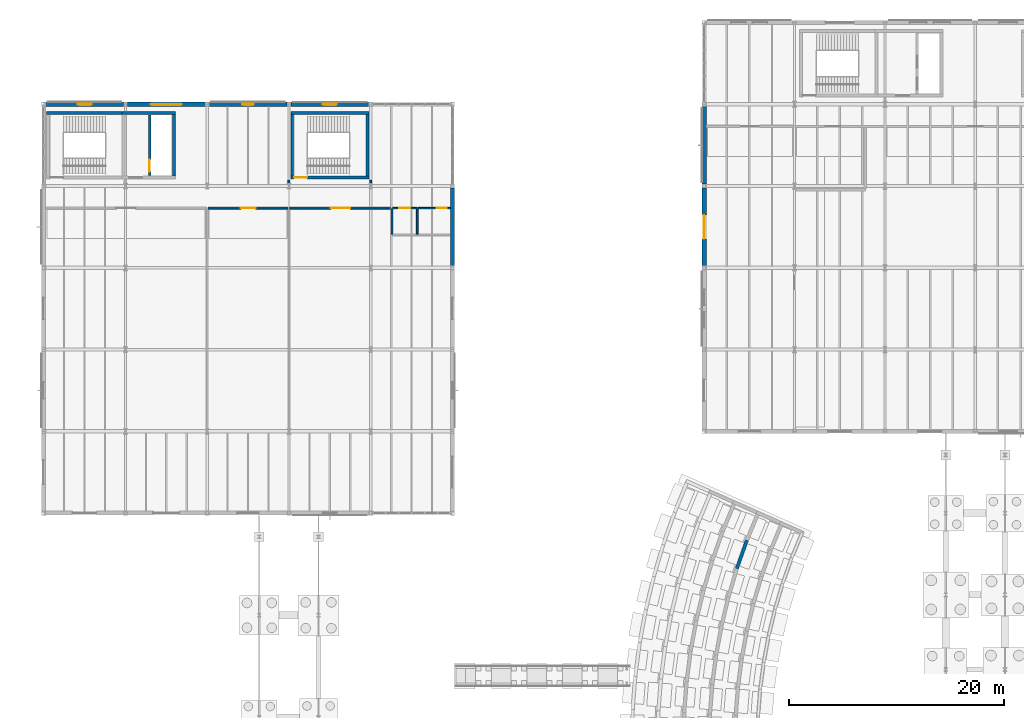
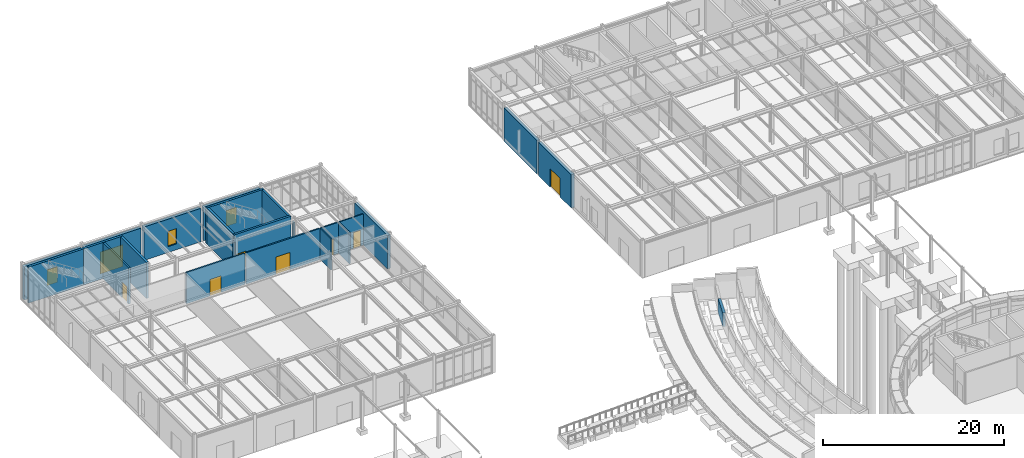
# One storey, part 87 of 109: 24 walls, 8 doors, 3 windows, 11 openings.
"""IFC4 building model written with IfcOpenShell, lengths in metres."""

import ifcopenshell
import ifcopenshell.guid

model = None  # the IFC model being written
_history = None  # IfcOwnerHistory: only IFC2X3 demands one
_inside = {}  # id of a spatial element -> (the spatial element, [elements in it])
_under = {}  # id of a project, library or spatial element -> (it, [spatial elements below it])
_declared = {}  # id of a project -> (the project, [libraries it declares])
_typed = {}  # id of a type object -> (the type object, [elements of that type])
_made_of = {}  # id of a material, layer set ... -> (it, [elements and type objects made of it])


def new_model(schema):
    """Start an empty IFC model of exactly this schema.

    Asked for "IFC4X3", IfcOpenShell would pick the latest addendum, in which some entities
    have other attributes; the version numbers below select the first issue.
    IFC2X3 requires an IfcOwnerHistory on every rooted entity: one is made here for all.
    """
    global model, _history
    if schema == "IFC4X3":
        model = ifcopenshell.file(schema_version=(4, 3, 0, 0))
    else:
        model = ifcopenshell.file(schema=schema)
    _inside.clear()
    _under.clear()
    _declared.clear()
    _typed.clear()
    _made_of.clear()
    _history = None
    if model.schema == "IFC2X3":
        org = make("IfcOrganization", Name="unknown")
        user = make(
            "IfcPersonAndOrganization",
            ThePerson=make("IfcPerson", FamilyName="unknown"),
            TheOrganization=org,
        )
        app = make(
            "IfcApplication",
            ApplicationDeveloper=org,
            Version="unknown",
            ApplicationFullName="unknown",
            ApplicationIdentifier="unknown",
        )
        _history = make(
            "IfcOwnerHistory",
            OwningUser=user,
            OwningApplication=app,
            ChangeAction="ADDED",
            CreationDate=0,
        )
    return model


def make(cls, **values):
    """One entity of the class cls with the attributes given. An attribute that is None is left unset."""
    return model.create_entity(
        cls, **{name: value for name, value in values.items() if value is not None}
    )


def rooted(cls, **values):
    """An entity with a GlobalId (a new one), such as an element, a storey or a relation."""
    return make(cls, GlobalId=ifcopenshell.guid.new(), OwnerHistory=_history, **values)


def si_unit(unit_type, name, prefix=None):
    """IfcSIUnit, for example si_unit("LENGTHUNIT", "METRE", prefix="MILLI")."""
    return make("IfcSIUnit", UnitType=unit_type, Prefix=prefix, Name=name)


def assignment(units):
    """IfcUnitAssignment: the units of a project."""
    return None if units is None else make("IfcUnitAssignment", Units=units)


def point(xyz):
    """IfcCartesianPoint."""
    return None if xyz is None else make("IfcCartesianPoint", Coordinates=xyz)


def direction(xyz):
    """IfcDirection."""
    return None if xyz is None else make("IfcDirection", DirectionRatios=xyz)


def frame(location, z_axis=None, x_axis=None):
    """IfcAxis2Placement3D, a coordinate frame: its origin and axes. An axis left out is left unset."""
    return make(
        "IfcAxis2Placement3D",
        Location=point(location),
        Axis=direction(z_axis),
        RefDirection=direction(x_axis),
    )


def frame_2d(location, x_axis=None):
    """IfcAxis2Placement2D, a coordinate frame in the plane: its origin and x axis."""
    return make(
        "IfcAxis2Placement2D", Location=point(location), RefDirection=direction(x_axis)
    )


def origin():
    """The frame at (0, 0, 0) with its axes left unset."""
    return frame((0.0, 0.0, 0.0))


def place(relative_to, where):
    """IfcLocalPlacement: puts the frame where relative to a parent placement (None: the world)."""
    return make(
        "IfcLocalPlacement", PlacementRelTo=relative_to, RelativePlacement=where
    )


def context(
    kind, dimensions, precision=None, world=None, true_north=None, identifier=None
):
    """IfcGeometricRepresentationContext, for example the 3D "Model" context."""
    return make(
        "IfcGeometricRepresentationContext",
        ContextIdentifier=identifier,
        ContextType=kind,
        CoordinateSpaceDimension=dimensions,
        Precision=precision,
        WorldCoordinateSystem=world,
        TrueNorth=true_north,
    )


def subcontext(parent, identifier, kind, view, scale=None):
    """IfcGeometricRepresentationSubContext, for example "Body" below "Model"."""
    return make(
        "IfcGeometricRepresentationSubContext",
        ContextIdentifier=identifier,
        ContextType=kind,
        ParentContext=parent,
        TargetScale=scale,
        TargetView=view,
    )


def project(units=None, contexts=None):
    """IfcProject with its units and contexts."""
    return rooted(
        "IfcProject",
        Name="project",
        RepresentationContexts=contexts,
        UnitsInContext=assignment(units),
    )


def spatial(cls, under=None, at=None, **own):
    """A site, building, storey or space (cls), placed at a placement, below another one or the project."""
    s = rooted(cls, ObjectPlacement=at, **own)
    if under is not None:
        _under.setdefault(under.id(), (under, []))[1].append(s)
    return s


def profile(cls, at=None, kind="AREA", **sizes):
    """A parametric profile (cls). Its sizes go by their IFC names, for example OverallWidth=200.0."""
    return make(cls, ProfileType=kind, Position=at, **sizes)


def rectangle(**sizes):
    """IfcRectangleProfileDef."""
    return profile("IfcRectangleProfileDef", **sizes)


def extrude(swept, where, along, depth):
    """IfcExtrudedAreaSolid: the profile swept, set in the frame where, extruded along a direction by depth."""
    return make(
        "IfcExtrudedAreaSolid",
        SweptArea=swept,
        Position=where,
        ExtrudedDirection=direction(along),
        Depth=depth,
    )


def shape(context_of_items, identifier, shape_type, items):
    """IfcShapeRepresentation: the items that make up one representation, for example the "Body"."""
    return make(
        "IfcShapeRepresentation",
        ContextOfItems=context_of_items,
        RepresentationIdentifier=identifier,
        RepresentationType=shape_type,
        Items=items,
    )


def material(Name=None, Category=None):
    """IfcMaterial."""
    return make("IfcMaterial", Name=Name, Category=Category)


def layer(
    of_material, thickness, ventilated=None, Name=None, Category=None, Priority=None
):
    """IfcMaterialLayer: one layer of a wall or slab, of a material (None: an air gap)."""
    return make(
        "IfcMaterialLayer",
        Material=of_material,
        LayerThickness=thickness,
        IsVentilated=ventilated,
        Name=Name,
        Category=Category,
        Priority=Priority,
    )


def layer_set(layers, Name=None):
    """IfcMaterialLayerSet."""
    return make("IfcMaterialLayerSet", MaterialLayers=layers, LayerSetName=Name)


def made_of(thing, what):
    """Note that an element or type object is made of a material, layer set ...; save() writes the relation."""
    if what is not None:
        _made_of.setdefault(what.id(), (what, []))[1].append(thing)
    return thing


def type_object(cls, material=None, **own):
    """A type object (cls), such as IfcWallType, which elements share."""
    return made_of(rooted(cls, **own), material)


def element(
    cls,
    number,
    at=None,
    inside=None,
    cuts=None,
    type_object=None,
    material=None,
    context=None,
    identifier="Body",
    shape_type=None,
    held_by="IfcProductDefinitionShape",
    body=None,
    shapes=None,
    **own,
):
    """One element of the class cls, such as IfcWall. Its Tag is "e" and its number.

    at: its placement. inside: the storey or other place that contains it. cuts: it is an
    opening in that element (IfcRelVoidsElement). A single representation is given by context,
    identifier, shape_type and body (its items); several are given by shapes. held_by: the class
    of the entity that holds the representations. save() writes the other relations.
    """
    e = rooted(cls, Tag="e%d" % number, ObjectPlacement=at, **own)
    if body is not None:
        shapes = [shape(context, identifier, shape_type, body)]
    if shapes is not None:
        e.Representation = make(held_by, Representations=shapes)
    if inside is not None:
        _inside.setdefault(inside.id(), (inside, []))[1].append(e)
    if cuts is not None:
        rooted(
            "IfcRelVoidsElement", RelatingBuildingElement=cuts, RelatedOpeningElement=e
        )
    if type_object is not None:
        _typed.setdefault(type_object.id(), (type_object, []))[1].append(e)
    return made_of(e, material)


def fill(opening, filler):
    """IfcRelFillsElement: the door or window that sits in an opening."""
    return rooted(
        "IfcRelFillsElement",
        RelatingOpeningElement=opening,
        RelatedBuildingElement=filler,
    )


def aggregate(whole, parts):
    """IfcRelAggregates: a whole, such as a stair, and the parts it consists of."""
    return rooted("IfcRelAggregates", RelatingObject=whole, RelatedObjects=parts)


def save(model, path):
    """Write the relations noted so far, then the file.

    IfcRelAggregates (storeys below a building ...), IfcRelContainedInSpatialStructure (elements
    in a storey), IfcRelDefinesByType, IfcRelAssociatesMaterial and IfcRelDeclares: one each for
    every whole, place, type object, material and project.
    """
    for whole, parts in _under.values():
        aggregate(whole, parts)
    for where, things in _inside.values():
        rooted(
            "IfcRelContainedInSpatialStructure",
            RelatedElements=things,
            RelatingStructure=where,
        )
    for kind, things in _typed.values():
        rooted("IfcRelDefinesByType", RelatedObjects=things, RelatingType=kind)
    for what, things in _made_of.values():
        rooted("IfcRelAssociatesMaterial", RelatedObjects=things, RelatingMaterial=what)
    for by, libraries in _declared.values():
        rooted("IfcRelDeclares", RelatingContext=by, RelatedDefinitions=libraries)
    model.write(path)


model = new_model("IFC4")

# Units and contexts
model_context = context("Model", 3, precision=1e-05, world=origin(), true_north=direction((0.0, 1.0)))
body_context = subcontext(model_context, "Body", "Model", "MODEL_VIEW")
ifc_project = project(units=[si_unit("LENGTHUNIT", "METRE"), si_unit("AREAUNIT", "SQUARE_METRE"), si_unit("VOLUMEUNIT", "CUBIC_METRE"), si_unit("PLANEANGLEUNIT", "RADIAN"), si_unit("MASSUNIT", "GRAM", prefix="KILO")], contexts=[model_context])

# Site, building, storey
site_placement = place(None, origin())
site = spatial("IfcSite", under=ifc_project, at=site_placement, CompositionType="ELEMENT")
building_placement = place(site_placement, origin())
building = spatial("IfcBuilding", under=site, at=building_placement, Name="Montecoro Central Library", CompositionType="ELEMENT")
storey_placement = place(building_placement, origin())
storey = spatial("IfcBuildingStorey", under=building, at=storey_placement, Name="L00", CompositionType="ELEMENT", Elevation=0.0)

# Wall
ifc_material_1 = material(Name="Dark piperno stone clad concrete C35/45", Category="masonry")
ifc_layer_1 = layer(ifc_material_1, 0.385009765625)
ifc_layer_set_1 = layer_set([ifc_layer_1], Name="Dark piperno stone clad concrete C35/45")
wall_type_1 = type_object("IfcWallType", Name="EW-PIP-385", PredefinedType="SOLIDWALL", material=ifc_layer_set_1)
wall_1_placement = place(storey_placement, frame((66.39990234375, 111.221923828125, 0.0), z_axis=(0.0, 0.0, 1.0), x_axis=(0.0, -1.0, 0.0)))
element("IfcWall", 1, at=wall_1_placement, inside=storey, type_object=wall_type_1, Name="V2-L00-EW-W3", PredefinedType="SOLIDWALL", context=body_context, shape_type="SweptSolid", body=[
    extrude(rectangle(XDim=7.243896484375, YDim=0.385009765625, at=frame_2d((3.6220703125, 0.0))), origin(), (0.0, 0.0, 1.0), 4.5),
])

# Wall, opening, door
wall_2_placement = place(storey_placement, frame((66.39990234375, 103.6220703125, 0.0), z_axis=(0.0, 0.0, 1.0), x_axis=(0.0, -1.0, 0.0)))
wall_2 = element("IfcWall", 2, at=wall_2_placement, inside=storey, type_object=wall_type_1, Name="V2-L00-EW-W2", PredefinedType="SOLIDWALL", context=body_context, shape_type="SweptSolid", body=[
    extrude(rectangle(XDim=7.244140625, YDim=0.385009765625, at=frame_2d((3.6220703125, 0.0))), origin(), (0.0, 0.0, 1.0), 4.5),
])
opening_1_placement = place(wall_2_placement, frame((2.52197265625, 0.0, 0.0)))
opening_1 = element("IfcOpeningElement", 3, at=opening_1_placement, cuts=wall_2, Name="Opening ED-01", PredefinedType="OPENING", context=body_context, shape_type="SweptSolid", body=[
    extrude(rectangle(XDim=2.199951171875, YDim=2.5, at=frame_2d((1.10009765625, 1.25))), frame((0.0, 0.202392578125, 0.0), z_axis=(0.0, -1.0, 0.0), x_axis=(1.0, 0.0, 0.0)), (0.0, 0.0, 1.0), 0.405029296875),
])
ifc_material_2 = material(Name="Thermally broken architectural bronze and safety glass", Category="glass")
door_type_1 = type_object("IfcDoorType", Name="ED-EXIT-220", OperationType="NOTDEFINED", PredefinedType="DOOR", material=ifc_material_2)
door_1_placement = place(opening_1_placement, origin())
door_1 = element("IfcDoor", 4, at=door_1_placement, inside=storey, type_object=door_type_1, Name="V2-L00-ED-W2", OperationType="SINGLE_SWING_RIGHT", OverallHeight=2.5, OverallWidth=2.199951171875, PredefinedType="DOOR", context=body_context, shape_type="SweptSolid", body=[
    extrude(rectangle(XDim=2.199951171875, YDim=2.5, at=frame_2d((1.10009765625, 1.25))), frame((0.0, 0.02490234375, 0.0), z_axis=(0.0, -1.0, 0.0), x_axis=(1.0, 0.0, 0.0)), (0.0, 0.0, 1.0), 0.050048828125),
])
fill(opening_1, door_1)

# Wall
wall_3_placement = place(storey_placement, frame((43.0, 96.3779296875, 0.0), z_axis=(0.0, 0.0, 1.0), x_axis=(0.0, 1.0, 0.0)))
element("IfcWall", 5, at=wall_3_placement, inside=storey, type_object=wall_type_1, Name="V4-L00-EW-E3", PredefinedType="SOLIDWALL", context=body_context, shape_type="SweptSolid", body=[
    extrude(rectangle(XDim=7.244140625, YDim=0.385009765625, at=frame_2d((3.6220703125, 0.0))), origin(), (0.0, 0.0, 1.0), 4.5),
])

# Wall, opening, window
wall_4_placement = place(storey_placement, frame((35.221923828125, 111.39990234375, 0.0), z_axis=(0.0, 0.0, 1.0), x_axis=(-1.0, 0.0, 0.0)))
wall_4 = element("IfcWall", 6, at=wall_4_placement, inside=storey, type_object=wall_type_1, Name="V4-L00-EW-N3", PredefinedType="SOLIDWALL", context=body_context, shape_type="SweptSolid", body=[
    extrude(rectangle(XDim=7.243896484375, YDim=0.385009765625, at=frame_2d((3.6220703125, 0.0))), origin(), (0.0, 0.0, 1.0), 4.5),
])
opening_2_placement = place(wall_4_placement, frame((2.971923828125, 0.0, 0.800048828125)))
opening_2 = element("IfcOpeningElement", 7, at=opening_2_placement, cuts=wall_4, Name="Opening WN-15", PredefinedType="OPENING", context=body_context, shape_type="SweptSolid", body=[
    extrude(rectangle(XDim=1.300048828125, YDim=2.1201171875, at=frame_2d((0.64990234375, 1.06005859375))), frame((0.0, 0.202392578125, 0.0), z_axis=(0.0, -1.0, 0.0), x_axis=(1.0, 0.0, 0.0)), (0.0, 0.0, 1.0), 0.405029296875),
])
ifc_material_3 = material(Name="Acoustic laminated double glazing", Category="glass")
window_type_1 = type_object("IfcWindowType", Name="WN-AUD-130", PartitioningType="SINGLE_PANEL", PredefinedType="WINDOW", material=ifc_material_3)
window_1_placement = place(opening_2_placement, origin())
window_1 = element("IfcWindow", 8, at=window_1_placement, inside=storey, type_object=window_type_1, Name="V4-L00-WN-N3-1", OverallHeight=2.1201171875, OverallWidth=1.300048828125, PartitioningType="SINGLE_PANEL", PredefinedType="WINDOW", context=body_context, shape_type="SweptSolid", body=[
    extrude(rectangle(XDim=1.300048828125, YDim=2.1201171875, at=frame_2d((0.64990234375, 1.06005859375))), frame((0.0, 0.030029296875, 0.0), z_axis=(0.0, -1.0, 0.0), x_axis=(1.0, 0.0, 0.0)), (0.0, 0.0, 1.0), 0.06005859375),
])
fill(opening_2, window_1)

wall_5_placement = place(storey_placement, frame((27.6220703125, 111.39990234375, 0.0), z_axis=(0.0, 0.0, 1.0), x_axis=(-1.0, 0.0, 0.0)))
wall_5 = element("IfcWall", 9, at=wall_5_placement, inside=storey, type_object=wall_type_1, Name="V4-L00-EW-N2", PredefinedType="SOLIDWALL", context=body_context, shape_type="SweptSolid", body=[
    extrude(rectangle(XDim=7.244140625, YDim=0.385009765625, at=frame_2d((3.6220703125, 0.0))), origin(), (0.0, 0.0, 1.0), 4.5),
])
opening_3_placement = place(wall_5_placement, frame((3.072021484375, 0.0, 0.800048828125)))
opening_3 = element("IfcOpeningElement", 10, at=opening_3_placement, cuts=wall_5, Name="Opening WN-14", PredefinedType="OPENING", context=body_context, shape_type="SweptSolid", body=[
    extrude(rectangle(XDim=1.10009765625, YDim=2.050048828125, at=frame_2d((0.550048828125, 1.02490234375))), frame((0.0, 0.202392578125, 0.0), z_axis=(0.0, -1.0, 0.0), x_axis=(1.0, 0.0, 0.0)), (0.0, 0.0, 1.0), 0.405029296875),
])
window_type_2 = type_object("IfcWindowType", Name="WN-AUD-110", PartitioningType="SINGLE_PANEL", PredefinedType="WINDOW", material=ifc_material_3)
window_2_placement = place(opening_3_placement, origin())
window_2 = element("IfcWindow", 11, at=window_2_placement, inside=storey, type_object=window_type_2, Name="V4-L00-WN-N2-1", OverallHeight=2.050048828125, OverallWidth=1.10009765625, PartitioningType="SINGLE_PANEL", PredefinedType="WINDOW", context=body_context, shape_type="SweptSolid", body=[
    extrude(rectangle(XDim=1.10009765625, YDim=2.050048828125, at=frame_2d((0.550048828125, 1.02490234375))), frame((0.0, 0.030029296875, 0.0), z_axis=(0.0, -1.0, 0.0), x_axis=(1.0, 0.0, 0.0)), (0.0, 0.0, 1.0), 0.06005859375),
])
fill(opening_3, window_2)

# Wall, opening, door
wall_6_placement = place(storey_placement, frame((20.02197265625, 111.39990234375, 0.0), z_axis=(0.0, 0.0, 1.0), x_axis=(-1.0, 0.0, 0.0)))
wall_6 = element("IfcWall", 12, at=wall_6_placement, inside=storey, type_object=wall_type_1, Name="V4-L00-EW-N1", PredefinedType="SOLIDWALL", context=body_context, shape_type="SweptSolid", body=[
    extrude(rectangle(XDim=7.243896484375, YDim=0.385009765625, at=frame_2d((3.6220703125, 0.0))), origin(), (0.0, 0.0, 1.0), 4.5),
])
opening_4_placement = place(wall_6_placement, frame((2.172119140625, 0.0, 0.0)))
opening_4 = element("IfcOpeningElement", 13, at=opening_4_placement, cuts=wall_6, Name="Opening EG-02", PredefinedType="OPENING", context=body_context, shape_type="SweptSolid", body=[
    extrude(rectangle(XDim=2.89990234375, YDim=2.949951171875, at=frame_2d((1.449951171875, 1.47509765625))), frame((0.0, 0.202392578125, 0.0), z_axis=(0.0, -1.0, 0.0), x_axis=(1.0, 0.0, 0.0)), (0.0, 0.0, 1.0), 0.405029296875),
])
door_type_2 = type_object("IfcDoorType", Name="ED-GATE-290", OperationType="NOTDEFINED", PredefinedType="GATE", material=ifc_material_2)
door_2_placement = place(opening_4_placement, origin())
door_2 = element("IfcDoor", 14, at=door_2_placement, inside=storey, type_object=door_type_2, Name="V4-L00-GT-N1", OperationType="DOUBLE_DOOR_SINGLE_SWING", OverallHeight=2.949951171875, OverallWidth=2.89990234375, PredefinedType="GATE", context=body_context, shape_type="SweptSolid", body=[
    extrude(rectangle(XDim=2.89990234375, YDim=2.949951171875, at=frame_2d((1.449951171875, 1.47509765625))), frame((0.0, 0.02490234375, 0.0), z_axis=(0.0, -1.0, 0.0), x_axis=(1.0, 0.0, 0.0)), (0.0, 0.0, 1.0), 0.050048828125),
])
fill(opening_4, door_2)

# Wall, opening, window
wall_7_placement = place(storey_placement, frame((12.422119140625, 111.39990234375, 0.0), z_axis=(0.0, 0.0, 1.0), x_axis=(-1.0, 0.0, 0.0)))
wall_7 = element("IfcWall", 15, at=wall_7_placement, inside=storey, type_object=wall_type_1, Name="V4-L00-EW-N0", PredefinedType="SOLIDWALL", context=body_context, shape_type="SweptSolid", body=[
    extrude(rectangle(XDim=7.244140625, YDim=0.385009765625, at=frame_2d((3.6220703125, 0.0))), origin(), (0.0, 0.0, 1.0), 4.5),
])
opening_5_placement = place(wall_7_placement, frame((2.971923828125, 0.0, 0.800048828125)))
opening_5 = element("IfcOpeningElement", 16, at=opening_5_placement, cuts=wall_7, Name="Opening WN-15", PredefinedType="OPENING", context=body_context, shape_type="SweptSolid", body=[
    extrude(rectangle(XDim=1.300048828125, YDim=2.1201171875, at=frame_2d((0.64990234375, 1.06005859375))), frame((0.0, 0.202392578125, 0.0), z_axis=(0.0, -1.0, 0.0), x_axis=(1.0, 0.0, 0.0)), (0.0, 0.0, 1.0), 0.405029296875),
])
window_3_placement = place(opening_5_placement, origin())
window_3 = element("IfcWindow", 17, at=window_3_placement, inside=storey, type_object=window_type_1, Name="V4-L00-WN-N0-1", OverallHeight=2.1201171875, OverallWidth=1.300048828125, PartitioningType="SINGLE_PANEL", PredefinedType="WINDOW", context=body_context, shape_type="SweptSolid", body=[
    extrude(rectangle(XDim=1.300048828125, YDim=2.1201171875, at=frame_2d((0.64990234375, 1.06005859375))), frame((0.0, 0.030029296875, 0.0), z_axis=(0.0, -1.0, 0.0), x_axis=(1.0, 0.0, 0.0)), (0.0, 0.0, 1.0), 0.06005859375),
])
fill(opening_5, window_3)

# Wall
ifc_material_4 = material(Name="Roman travertine stone clad concrete C35/45", Category="masonry")
ifc_layer_2 = layer(ifc_material_4, 0.31005859375)
ifc_layer_set_2 = layer_set([ifc_layer_2], Name="Roman travertine stone clad concrete C35/45")
wall_type_2 = type_object("IfcWallType", Name="EW-TRV-LB-310", PredefinedType="SOLIDWALL", material=ifc_layer_set_2)
wall_8_placement = place(storey_placement, frame((70.363037109375, 70.883056640625, 0.0), z_axis=(0.0, 0.0, 1.0), x_axis=(-0.333806723165, -0.942641539277, 0.0)))
element("IfcWall", 18, at=wall_8_placement, inside=storey, type_object=wall_type_2, Name="Stepped Terrace Retaining Wall 4", PredefinedType="SOLIDWALL", context=body_context, shape_type="SweptSolid", body=[
    extrude(rectangle(XDim=2.79541015625, YDim=0.31005859375, at=frame_2d((1.397705078125, 0.0))), origin(), (0.0, 0.0, 1.0), 1.860107421875),
])

# Wall, opening, door
ifc_material_5 = material(Name="Gypsum fire-rated partition")
ifc_layer_3 = layer(ifc_material_5, 0.179931640625)
ifc_layer_set_3 = layer_set([ifc_layer_3], Name="Gypsum fire-rated partition")
wall_type_3 = type_object("IfcWallType", Name="IW-COR-180", PredefinedType="PARTITIONING", material=ifc_layer_set_3)
wall_9_placement = place(storey_placement, frame((20.2900390625, 101.75, 0.0), z_axis=(0.0, 0.0, 1.0), x_axis=(1.0, 0.0, 0.0)))
wall_9 = element("IfcWall", 19, at=wall_9_placement, inside=storey, type_object=wall_type_3, Name="CORW-V4-L00-02", PredefinedType="PARTITIONING", context=body_context, shape_type="SweptSolid", body=[
    extrude(rectangle(XDim=7.419921875, YDim=0.179931640625, at=frame_2d((3.7099609375, 0.0))), origin(), (0.0, 0.0, 1.0), 4.199951171875),
])
opening_6_placement = place(wall_9_placement, frame((3.010009765625, 0.0, 0.0)))
opening_6 = element("IfcOpeningElement", 20, at=opening_6_placement, cuts=wall_9, Name="Opening ID-08", PredefinedType="OPENING", context=body_context, shape_type="SweptSolid", body=[
    extrude(rectangle(XDim=1.39990234375, YDim=2.219970703125, at=frame_2d((0.699951171875, 1.10986328125))), frame((0.0, 0.099853515625, 0.0), z_axis=(0.0, -1.0, 0.0), x_axis=(1.0, 0.0, 0.0)), (0.0, 0.0, 1.0), 0.199951171875),
])
ifc_material_6 = material(Name="Solid oak and fire-rated steel door", Category="steel")
door_type_3 = type_object("IfcDoorType", Name="ID-RDG-140", OperationType="NOTDEFINED", PredefinedType="DOOR", material=ifc_material_6)
door_3_placement = place(opening_6_placement, origin())
door_3 = element("IfcDoor", 21, at=door_3_placement, inside=storey, type_object=door_type_3, Name="DR-SP-V4-L00-R2P1", OperationType="SINGLE_SWING_RIGHT", OverallHeight=2.219970703125, OverallWidth=1.39990234375, PredefinedType="DOOR", context=body_context, shape_type="SweptSolid", body=[
    extrude(rectangle(XDim=1.39990234375, YDim=2.219970703125, at=frame_2d((0.699951171875, 1.10986328125))), frame((0.0, 0.02490234375, 0.0), z_axis=(0.0, -1.0, 0.0), x_axis=(1.0, 0.0, 0.0)), (0.0, 0.0, 1.0), 0.050048828125),
])
fill(opening_6, door_3)

wall_10_placement = place(storey_placement, frame((27.889892578125, 101.75, 0.0), z_axis=(0.0, 0.0, 1.0), x_axis=(1.0, 0.0, 0.0)))
wall_10 = element("IfcWall", 22, at=wall_10_placement, inside=storey, type_object=wall_type_3, Name="CORW-V4-L00-03", PredefinedType="PARTITIONING", context=body_context, shape_type="SweptSolid", body=[
    extrude(rectangle(XDim=9.3701171875, YDim=0.179931640625, at=frame_2d((4.68505859375, 0.0))), origin(), (0.0, 0.0, 1.0), 4.199951171875),
])
opening_7_placement = place(wall_10_placement, frame((3.784912109375, 0.0, 0.0)))
opening_7 = element("IfcOpeningElement", 23, at=opening_7_placement, cuts=wall_10, Name="Opening ID-10", PredefinedType="OPENING", context=body_context, shape_type="SweptSolid", body=[
    extrude(rectangle(XDim=1.800048828125, YDim=2.300048828125, at=frame_2d((0.89990234375, 1.14990234375))), frame((0.0, 0.099853515625, 0.0), z_axis=(0.0, -1.0, 0.0), x_axis=(1.0, 0.0, 0.0)), (0.0, 0.0, 1.0), 0.199951171875),
])
door_type_4 = type_object("IfcDoorType", Name="ID-AUD-180", OperationType="NOTDEFINED", PredefinedType="DOOR", material=ifc_material_6)
door_4_placement = place(opening_7_placement, origin())
door_4 = element("IfcDoor", 24, at=door_4_placement, inside=storey, type_object=door_type_4, Name="DR-SP-V4-L00-R3P1", OperationType="DOUBLE_DOOR_SINGLE_SWING", OverallHeight=2.300048828125, OverallWidth=1.800048828125, PredefinedType="DOOR", context=body_context, shape_type="SweptSolid", body=[
    extrude(rectangle(XDim=1.800048828125, YDim=2.300048828125, at=frame_2d((0.89990234375, 1.14990234375))), frame((0.0, 0.02490234375, 0.0), z_axis=(0.0, -1.0, 0.0), x_axis=(1.0, 0.0, 0.0)), (0.0, 0.0, 1.0), 0.050048828125),
])
fill(opening_7, door_4)

# Walls
for number, where, z_axis, x_axis, name in (
    (25, (27.800048828125, 104.0400390625, 0.0), (0.0, 0.0, 1.0), (0.0, 1.0, 0.0), "PIL-V4-L00-2"),
    (26, (35.39990234375, 104.0400390625, 0.0), (0.0, 0.0, 1.0), (0.0, 1.0, 0.0), "PIL-V4-L00-3"),
):
    element("IfcWall", number, at=place(storey_placement, frame(where, z_axis=z_axis, x_axis=x_axis)), inside=storey, type_object=wall_type_3, Name=name, PredefinedType="PARTITIONING", context=body_context, shape_type="SweptSolid", body=[
        extrude(rectangle(XDim=0.320068359375, YDim=0.179931640625, at=frame_2d((0.16015625, 0.0))), origin(), (0.0, 0.0, 1.0), 4.199951171875),
    ])

# Wall, opening, door
ifc_material_7 = material(Name="Concrete C32/40", Category="concrete")
ifc_layer_4 = layer(ifc_material_7, 0.219970703125)
ifc_layer_set_4 = layer_set([ifc_layer_4], Name="Concrete C32/40")
wall_type_4 = type_object("IfcWallType", Name="IW-FFL-220", PredefinedType="SOLIDWALL", material=ifc_layer_set_4)
wall_11_placement = place(storey_placement, frame((14.85009765625, 104.800048828125, 0.0), z_axis=(0.0, 0.0, 1.0), x_axis=(0.0, 1.0, 0.0)))
wall_11 = element("IfcWall", 27, at=wall_11_placement, inside=storey, type_object=wall_type_4, Name="C5-L00-WLSH", PredefinedType="SOLIDWALL", context=body_context, shape_type="SweptSolid", body=[
    extrude(rectangle(XDim=5.599853515625, YDim=0.219970703125, at=frame_2d((2.7998046875, 0.0))), origin(), (0.0, 0.0, 1.0), 4.864990234375),
])
opening_8_placement = place(wall_11_placement, frame((0.35009765625, 0.0, 0.0)))
opening_8 = element("IfcOpeningElement", 28, at=opening_8_placement, cuts=wall_11, Name="Opening LD-01", PredefinedType="OPENING", context=body_context, shape_type="SweptSolid", body=[
    extrude(rectangle(XDim=1.10009765625, YDim=2.14990234375, at=frame_2d((0.550048828125, 1.074951171875))), frame((0.0, 0.119873046875, 0.0), z_axis=(0.0, -1.0, 0.0), x_axis=(1.0, 0.0, 0.0)), (0.0, 0.0, 1.0), 0.239990234375),
])
door_type_5 = type_object("IfcDoorType", Name="LD-LIFT-110", OperationType="NOTDEFINED", PredefinedType="DOOR", material=ifc_material_6)
door_5_placement = place(opening_8_placement, origin())
door_5 = element("IfcDoor", 29, at=door_5_placement, inside=storey, type_object=door_type_5, Name="C5-L00-LD-PL-05", OperationType="SLIDING_TO_LEFT", OverallHeight=2.14990234375, OverallWidth=1.10009765625, PredefinedType="DOOR", context=body_context, shape_type="SweptSolid", body=[
    extrude(rectangle(XDim=1.10009765625, YDim=2.14990234375, at=frame_2d((0.550048828125, 1.074951171875))), frame((0.0, 0.02490234375, 0.0), z_axis=(0.0, -1.0, 0.0), x_axis=(1.0, 0.0, 0.0)), (0.0, 0.0, 1.0), 0.050048828125),
])
fill(opening_8, door_5)

ifc_material_8 = material(Name="Concrete C35/45", Category="concrete")
ifc_layer_5 = layer(ifc_material_8, 0.260009765625)
ifc_layer_set_5 = layer_set([ifc_layer_5], Name="Concrete C35/45")
wall_type_5 = type_object("IfcWallType", Name="IW-SHR-260", PredefinedType="SHEAR", material=ifc_layer_set_5)
wall_12_placement = place(storey_placement, frame((27.969970703125, 104.60009765625, 0.0), z_axis=(0.0, 0.0, 1.0), x_axis=(1.0, 0.0, 0.0)))
wall_12 = element("IfcWall", 30, at=wall_12_placement, inside=storey, type_object=wall_type_5, Name="C9-L00-WS", PredefinedType="SHEAR", context=body_context, shape_type="SweptSolid", body=[
    extrude(rectangle(XDim=7.260009765625, YDim=0.260009765625, at=frame_2d((3.6298828125, 0.0))), origin(), (0.0, 0.0, 1.0), 4.864990234375),
])
opening_9_placement = place(wall_12_placement, frame((0.31005859375, 0.0, 0.0)))
opening_9 = element("IfcOpeningElement", 31, at=opening_9_placement, cuts=wall_12, Name="Opening ID-01", PredefinedType="OPENING", context=body_context, shape_type="SweptSolid", body=[
    extrude(rectangle(XDim=1.219970703125, YDim=2.179931640625, at=frame_2d((0.60986328125, 1.08984375))), frame((0.0, 0.139892578125, 0.0), z_axis=(0.0, -1.0, 0.0), x_axis=(1.0, 0.0, 0.0)), (0.0, 0.0, 1.0), 0.280029296875),
])
door_type_6 = type_object("IfcDoorType", Name="ID-STR-140", OperationType="NOTDEFINED", PredefinedType="DOOR", material=ifc_material_6)
door_6_placement = place(opening_9_placement, origin())
door_6 = element("IfcDoor", 32, at=door_6_placement, inside=storey, type_object=door_type_6, Name="C9-L00-DSTR", OperationType="SINGLE_SWING_RIGHT", OverallHeight=2.179931640625, OverallWidth=1.219970703125, PredefinedType="DOOR", context=body_context, shape_type="SweptSolid", body=[
    extrude(rectangle(XDim=1.219970703125, YDim=2.179931640625, at=frame_2d((0.60986328125, 1.08984375))), frame((0.0, 0.02490234375, 0.0), z_axis=(0.0, -1.0, 0.0), x_axis=(1.0, 0.0, 0.0)), (0.0, 0.0, 1.0), 0.050048828125),
])
fill(opening_9, door_6)

# Walls
wall_13_placement = place(storey_placement, frame((27.969970703125, 110.60009765625, 0.0), z_axis=(0.0, 0.0, 1.0), x_axis=(1.0, 0.0, 0.0)))
element("IfcWall", 33, at=wall_13_placement, inside=storey, type_object=wall_type_5, Name="C9-L00-WN", PredefinedType="SHEAR", context=body_context, shape_type="SweptSolid", body=[
    extrude(rectangle(XDim=7.260009765625, YDim=0.260009765625, at=frame_2d((3.6298828125, 0.0))), origin(), (0.0, 0.0, 1.0), 4.864990234375),
])
for number, where, z_axis, x_axis, name in (
    (34, (28.10009765625, 104.72998046875, 0.0), (0.0, 0.0, 1.0), (0.0, 1.0, 0.0), "C9-L00-WW"),
    (35, (35.10009765625, 104.72998046875, 0.0), (0.0, 0.0, 1.0), (0.0, 1.0, 0.0), "C9-L00-WE"),
):
    element("IfcWall", number, at=place(storey_placement, frame(where, z_axis=z_axis, x_axis=x_axis)), inside=storey, type_object=wall_type_5, Name=name, PredefinedType="SHEAR", context=body_context, shape_type="SweptSolid", body=[
        extrude(rectangle(XDim=5.739990234375, YDim=0.260009765625, at=frame_2d((2.8701171875, 0.0))), origin(), (0.0, 0.0, 1.0), 4.864990234375),
    ])
ifc_layer_6 = layer(ifc_material_8, 0.280029296875)
ifc_layer_set_6 = layer_set([ifc_layer_6], Name="Concrete C35/45")
wall_type_6 = type_object("IfcWallType", Name="IW-SHR-280", PredefinedType="SHEAR", material=ifc_layer_set_6)
wall_14_placement = place(storey_placement, frame((17.239990234375, 110.60009765625, 0.0), z_axis=(0.0, 0.0, 1.0), x_axis=(-1.0, 0.0, 0.0)))
element("IfcWall", 36, at=wall_14_placement, inside=storey, type_object=wall_type_6, Name="C5-L00-LWN", PredefinedType="SHEAR", context=body_context, shape_type="SweptSolid", body=[
    extrude(rectangle(XDim=4.9599609375, YDim=0.280029296875, at=frame_2d((2.47998046875, 0.0))), origin(), (0.0, 0.0, 1.0), 4.864990234375),
])
wall_15_placement = place(storey_placement, frame((17.10009765625, 104.739990234375, 0.0), z_axis=(0.0, 0.0, 1.0), x_axis=(0.0, 1.0, 0.0)))
element("IfcWall", 37, at=wall_15_placement, inside=storey, type_object=wall_type_6, Name="C5-L00-LWE", PredefinedType="SHEAR", context=body_context, shape_type="SweptSolid", body=[
    extrude(rectangle(XDim=5.719970703125, YDim=0.280029296875, at=frame_2d((2.85986328125, 0.0))), origin(), (0.0, 0.0, 1.0), 4.864990234375),
])
wall_16_placement = place(storey_placement, frame((5.280029296875, 110.60009765625, 0.0), z_axis=(0.0, 0.0, 1.0), x_axis=(1.0, 0.0, 0.0)))
element("IfcWall", 38, at=wall_16_placement, inside=storey, type_object=wall_type_6, Name="C5-L00-WN", PredefinedType="SHEAR", context=body_context, shape_type="SweptSolid", body=[
    extrude(rectangle(XDim=7.280029296875, YDim=0.280029296875, at=frame_2d((3.64013671875, 0.0))), origin(), (0.0, 0.0, 1.0), 4.864990234375),
])
ifc_material_9 = material(Name="Moisture-resistant ceramic-tiled partition")
ifc_layer_7 = layer(ifc_material_9, 0.14990234375)
ifc_layer_set_7 = layer_set([ifc_layer_7], Name="Moisture-resistant ceramic-tiled partition")
wall_type_7 = type_object("IfcWallType", Name="IW-WET-150", PredefinedType="PARTITIONING", material=ifc_layer_set_7)
for number, where, z_axis, x_axis, name in (
    (39, (37.3798828125, 99.330078125, 0.0), (0.0, 0.0, 1.0), (0.0, 1.0, 0.0), "WC-V4-L00-WW"),
    (40, (39.72998046875, 99.330078125, 0.0), (0.0, 0.0, 1.0), (0.0, 1.0, 0.0), "WC-V4-L00-WM"),
):
    element("IfcWall", number, at=place(storey_placement, frame(where, z_axis=z_axis, x_axis=x_axis)), inside=storey, type_object=wall_type_7, Name=name, PredefinedType="PARTITIONING", context=body_context, shape_type="SweptSolid", body=[
        extrude(rectangle(XDim=2.35986328125, YDim=0.14990234375, at=frame_2d((1.179931640625, 0.0))), origin(), (0.0, 0.0, 1.0), 4.199951171875),
    ])

# Wall, opening, door
wall_17_placement = place(storey_placement, frame((37.43994140625, 101.75, 0.0), z_axis=(0.0, 0.0, 1.0), x_axis=(1.0, 0.0, 0.0)))
wall_17 = element("IfcWall", 41, at=wall_17_placement, inside=storey, type_object=wall_type_7, Name="WC-V4-L00-WFA", PredefinedType="PARTITIONING", context=body_context, shape_type="SweptSolid", body=[
    extrude(rectangle(XDim=2.25, YDim=0.14990234375, at=frame_2d((1.125, 0.0))), origin(), (0.0, 0.0, 1.0), 4.199951171875),
])
opening_10_placement = place(wall_17_placement, frame((0.625, 0.0, 0.0)))
opening_10 = element("IfcOpeningElement", 42, at=opening_10_placement, cuts=wall_17, Name="Opening ID-15", PredefinedType="OPENING", context=body_context, shape_type="SweptSolid", body=[
    extrude(rectangle(XDim=1.0, YDim=2.14990234375, at=frame_2d((0.5, 1.074951171875))), frame((0.0, 0.0849609375, 0.0), z_axis=(0.0, -1.0, 0.0), x_axis=(1.0, 0.0, 0.0)), (0.0, 0.0, 1.0), 0.169921875),
])
door_type_7 = type_object("IfcDoorType", Name="ID-AWC-100", OperationType="NOTDEFINED", PredefinedType="DOOR", material=ifc_material_6)
door_7_placement = place(opening_10_placement, origin())
door_7 = element("IfcDoor", 43, at=door_7_placement, inside=storey, type_object=door_type_7, Name="DR-SP-V4-L00-AWC", OperationType="SINGLE_SWING_RIGHT", OverallHeight=2.14990234375, OverallWidth=1.0, PredefinedType="DOOR", context=body_context, shape_type="SweptSolid", body=[
    extrude(rectangle(XDim=1.0, YDim=2.14990234375, at=frame_2d((0.5, 1.074951171875))), frame((0.0, 0.02490234375, 0.0), z_axis=(0.0, -1.0, 0.0), x_axis=(1.0, 0.0, 0.0)), (0.0, 0.0, 1.0), 0.050048828125),
])
fill(opening_10, door_7)

wall_18_placement = place(storey_placement, frame((39.77001953125, 101.75, 0.0), z_axis=(0.0, 0.0, 1.0), x_axis=(1.0, 0.0, 0.0)))
wall_18 = element("IfcWall", 44, at=wall_18_placement, inside=storey, type_object=wall_type_7, Name="WC-V4-L00-WFP", PredefinedType="PARTITIONING", context=body_context, shape_type="SweptSolid", body=[
    extrude(rectangle(XDim=3.030029296875, YDim=0.14990234375, at=frame_2d((1.51513671875, 0.0))), origin(), (0.0, 0.0, 1.0), 4.199951171875),
])
opening_11_placement = place(wall_18_placement, frame((1.780029296875, 0.0, 0.0)))
opening_11 = element("IfcOpeningElement", 45, at=opening_11_placement, cuts=wall_18, Name="Opening ID-16", PredefinedType="OPENING", context=body_context, shape_type="SweptSolid", body=[
    extrude(rectangle(XDim=0.89990234375, YDim=2.14990234375, at=frame_2d((0.449951171875, 1.074951171875))), frame((0.0, 0.0849609375, 0.0), z_axis=(0.0, -1.0, 0.0), x_axis=(1.0, 0.0, 0.0)), (0.0, 0.0, 1.0), 0.169921875),
])
door_type_8 = type_object("IfcDoorType", Name="ID-WC-090", OperationType="NOTDEFINED", PredefinedType="DOOR", material=ifc_material_6)
door_8_placement = place(opening_11_placement, origin())
door_8 = element("IfcDoor", 46, at=door_8_placement, inside=storey, type_object=door_type_8, Name="DR-SP-V4-L00-PWC", OperationType="SINGLE_SWING_LEFT", OverallHeight=2.14990234375, OverallWidth=0.89990234375, PredefinedType="DOOR", context=body_context, shape_type="SweptSolid", body=[
    extrude(rectangle(XDim=0.89990234375, YDim=2.14990234375, at=frame_2d((0.449951171875, 1.074951171875))), frame((0.0, 0.02490234375, 0.0), z_axis=(0.0, -1.0, 0.0), x_axis=(1.0, 0.0, 0.0)), (0.0, 0.0, 1.0), 0.050048828125),
])
fill(opening_11, door_8)

save(model, "model.ifc")
